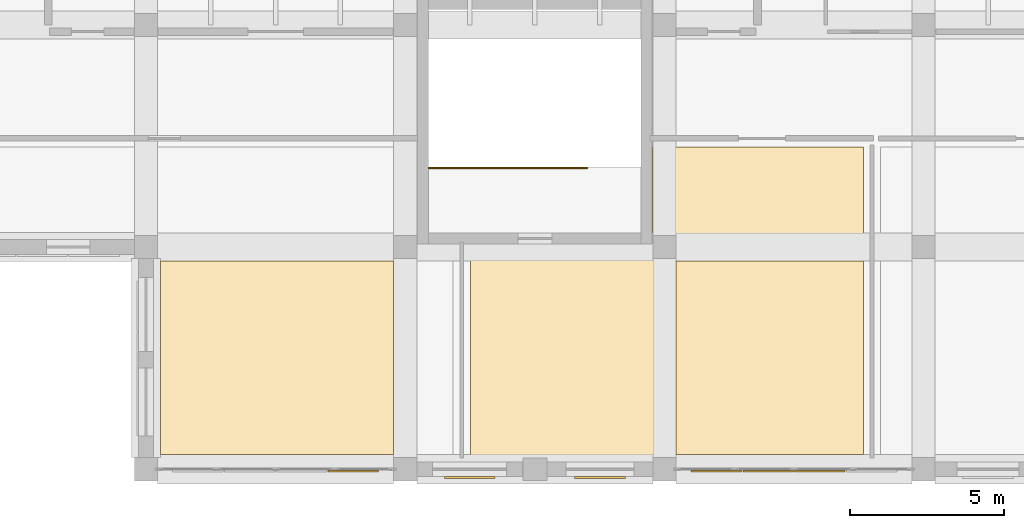
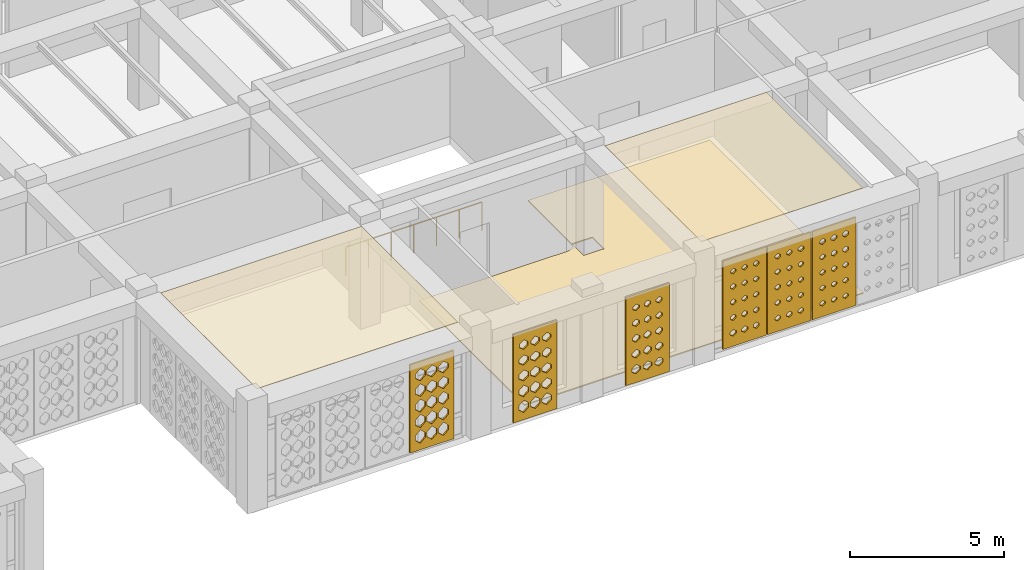
# One storey, part 87 of 111: 9 coverings, 1 railing.
"""IFC4 building model written with IfcOpenShell, lengths in metres."""

from ifc_helpers import new_model, si_unit, derived_unit, direction, frame, origin, origin_2d, place, context, subcontext, project, spatial, polyline, circle, outline, extrude, material, layer, layer_set, type_object, element, save


model = new_model("IFC4")

# Units and contexts
model_context = context("Model", 3, precision=1e-05, world=origin(), true_north=direction((0.0, 1.0)))
body_context = subcontext(model_context, "Body", "Model", "MODEL_VIEW")
ifc_project = project(units=[si_unit("LENGTHUNIT", "METRE"), si_unit("AREAUNIT", "SQUARE_METRE"), si_unit("VOLUMEUNIT", "CUBIC_METRE"), si_unit("PLANEANGLEUNIT", "RADIAN"), si_unit("MASSUNIT", "GRAM", prefix="KILO"), derived_unit("THERMALTRANSMITTANCEUNIT", [(si_unit("POWERUNIT", "WATT"), 1), (si_unit("LENGTHUNIT", "METRE"), -2), (si_unit("THERMODYNAMICTEMPERATUREUNIT", "KELVIN"), -1)])], contexts=[model_context])

# Site, building, storey
site_placement = place(None, origin())
site = spatial("IfcSite", under=ifc_project, at=site_placement, CompositionType="ELEMENT")
building_placement = place(site_placement, origin())
building = spatial("IfcBuilding", under=site, at=building_placement, Name="Veybourne Emporium", CompositionType="ELEMENT")
storey_placement = place(building_placement, frame((0.0, 0.0, 9.89990234375)))
storey = spatial("IfcBuildingStorey", under=building, at=storey_placement, Name="L02", CompositionType="ELEMENT", Elevation=9.89990234375)

# Coverings
ifc_material_1 = material(Name="Mineral Acoustic Ceiling", Category="gypsum")
ifc_layer_1 = layer(ifc_material_1, 0.02490234375)
ifc_layer_set_1 = layer_set([ifc_layer_1], Name="Mineral Acoustic Ceiling")
covering_type_1 = type_object("IfcCoveringType", Name="Ceiling_CLG-01", PredefinedType="CEILING", material=ifc_layer_set_1)
covering_1_placement = place(storey_placement, frame((0.0, 0.0, 4.155029296875)))
element("IfcCovering", 1, at=covering_1_placement, inside=storey, type_object=covering_type_1, Name="L02 coffered acoustic ceiling 04", PredefinedType="CEILING", context=body_context, shape_type="SweptSolid", body=[
    extrude(outline(polyline([(100.425048828125, 0.43994140625), (100.425048828125, 0.472900390625), (92.873046875, 0.472900390625), (92.873046875, 6.751953125), (100.425048828125, 6.751953125), (100.425048828125, 6.820068359375), (100.427001953125, 6.820068359375), (100.427001953125, 0.43994140625), (100.425048828125, 0.43994140625)])), origin(), (0.0, 0.0, 1.0), 0.025146484375),
])
covering_2_placement = place(storey_placement, frame((0.0, 0.0, 4.155029296875)))
element("IfcCovering", 2, at=covering_2_placement, inside=storey, type_object=covering_type_1, Name="L02 coffered acoustic ceiling 05", PredefinedType="CEILING", context=body_context, shape_type="SweptSolid", body=[
    extrude(outline(polyline([(115.64990234375, 0.472900390625), (109.574951171875, 0.472900390625), (109.574951171875, 0.43994140625), (109.572998046875, 0.43994140625), (109.572998046875, 6.820068359375), (109.574951171875, 6.820068359375), (109.574951171875, 6.751953125), (115.64990234375, 6.751953125), (115.64990234375, 0.472900390625)])), origin(), (0.0, 0.0, 1.0), 0.025146484375),
])
ifc_material_2 = material(Name="Venetian Terrazzo Flooring", Category="masonry")
ifc_layer_2 = layer(ifc_material_2, 0.044921875)
ifc_layer_set_2 = layer_set([ifc_layer_2], Name="Venetian Terrazzo Flooring")
covering_type_2 = type_object("IfcCoveringType", Name="Flooring_FLR-01", PredefinedType="FLOORING", material=ifc_layer_set_2)
covering_3_placement = place(storey_placement, origin())
element("IfcCovering", 3, at=covering_3_placement, inside=storey, type_object=covering_type_2, Name="L02 floor finish 05", PredefinedType="FLOORING", context=body_context, shape_type="SweptSolid", body=[
    extrude(outline(polyline([(102.909912109375, 7.2900390625), (108.449951171875, 7.2900390625), (108.459716796875, 7.290283203125), (108.4755859375, 7.291015625), (108.494873046875, 7.29296875), (108.510498046875, 7.295166015625), (108.52978515625, 7.299072265625), (108.545166015625, 7.302978515625), (108.56396484375, 7.30859375), (108.57861328125, 7.31396484375), (108.5966796875, 7.3212890625), (108.61083984375, 7.328125), (108.628173828125, 7.33740234375), (108.6416015625, 7.345458984375), (108.658203125, 7.3564453125), (108.670654296875, 7.36572265625), (108.685791015625, 7.378173828125), (108.697265625, 7.388671875), (108.71142578125, 7.402587890625), (108.721923828125, 7.414306640625), (108.734375, 7.42919921875), (108.74365234375, 7.44189453125), (108.754638671875, 7.458251953125), (108.7626953125, 7.4716796875), (108.77197265625, 7.489013671875), (108.778564453125, 7.503173828125), (108.7861328125, 7.521484375), (108.79150390625, 7.5361328125), (108.797119140625, 7.554931640625), (108.801025390625, 7.570068359375), (108.8046875, 7.589599609375), (108.80712890625, 7.60498046875), (108.80908203125, 7.62451171875), (108.809814453125, 7.64013671875), (108.81005859375, 7.64990234375), (108.81005859375, 10.43994140625), (115.64990234375, 10.43994140625), (115.64990234375, 0.43994140625), (102.909912109375, 0.43994140625), (102.909912109375, 7.2900390625)]), holes=[polyline([(109.580078125, 7.580078125), (108.820068359375, 7.580078125), (108.820068359375, 6.820068359375), (109.580078125, 6.820068359375), (109.580078125, 7.580078125)])]), origin(), (0.0, 0.0, 1.0), 0.045166015625),
])

# Railing
ifc_material_3 = material(Name="Brushed Stainless Steel", Category="steel")
railing_type = type_object("IfcRailingType", Name="Guard_GR-01", PredefinedType="GUARDRAIL", material=ifc_material_3)
railing_placement = place(storey_placement, frame((101.570068359375, 9.760009765625, 0.0)))
element("IfcRailing", 4, at=railing_placement, inside=storey, type_object=railing_type, Name="L02 ST-11 top well guardrail", PredefinedType="GUARDRAIL", context=body_context, shape_type="SweptSolid", body=[
    extrude(circle(Radius=0.02392578125, at=origin_2d()), frame((0.0, 0.0, 1.1259765625), z_axis=(1.0, 0.0, 0.0), x_axis=(0.0, 1.0, 0.0)), (0.0, 0.0, 1.0), 5.119873046875),
    extrude(circle(Radius=0.02099609375, at=origin_2d()), origin(), (0.0, 0.0, 1.0), 1.101806640625),
    extrude(circle(Radius=0.02099609375, at=origin_2d()), frame((0.853271484375, 0.0, 0.0)), (0.0, 0.0, 1.0), 1.101806640625),
    extrude(circle(Radius=0.02099609375, at=origin_2d()), frame((1.70654296875, 0.0, 0.0)), (0.0, 0.0, 1.0), 1.101806640625),
    extrude(circle(Radius=0.02099609375, at=origin_2d()), frame((2.56005859375, 0.0, 0.0)), (0.0, 0.0, 1.0), 1.101806640625),
    extrude(circle(Radius=0.02099609375, at=origin_2d()), frame((3.413330078125, 0.0, 0.0)), (0.0, 0.0, 1.0), 1.101806640625),
    extrude(circle(Radius=0.02099609375, at=origin_2d()), frame((4.2666015625, 0.0, 0.0)), (0.0, 0.0, 1.0), 1.101806640625),
    extrude(circle(Radius=0.02099609375, at=origin_2d()), frame((5.119873046875, 0.0, 0.0)), (0.0, 0.0, 1.0), 1.101806640625),
])

# Coverings
ifc_material_4 = material(Name="Warm-White Perforated Aluminium Screen Alloy", Category="aluminium")
ifc_layer_3 = layer(ifc_material_4, 0.06005859375)
ifc_layer_set_3 = layer_set([ifc_layer_3], Name="Warm-White Perforated Aluminium Screen Alloy")
covering_type_3 = type_object("IfcCoveringType", Name="WaveScreen_SCR-01", PredefinedType="CLADDING", material=ifc_layer_set_3)
covering_4_placement = place(storey_placement, frame((107.112548828125, -0.298095703125, 1.815185546875), z_axis=(0.0, 1.0, 0.0), x_axis=(-1.0, 0.0, 0.0)))
element("IfcCovering", 5, at=covering_4_placement, inside=storey, type_object=covering_type_3, Name="L02 wave-perforated aluminium screen SCR-01 (61A.1)", PredefinedType="CLADDING", context=body_context, shape_type="SweptSolid", body=[
    extrude(outline(polyline([(-0.81982421875, -1.7548828125), (0.81982421875, -1.7548828125), (0.81982421875, 1.7548828125), (-0.81982421875, 1.7548828125), (-0.81982421875, -1.7548828125)]), holes=[polyline([(-0.433349609375, -1.056396484375), (-0.282958984375, -1.166259765625), (-0.282958984375, -1.289794921875), (-0.433349609375, -1.399658203125), (-0.583740234375, -1.289794921875), (-0.583740234375, -1.166259765625), (-0.433349609375, -1.056396484375)]), polyline([(-0.433349609375, -0.455810546875), (-0.293701171875, -0.556884765625), (-0.293701171875, -0.6708984375), (-0.433349609375, -0.772216796875), (-0.572998046875, -0.6708984375), (-0.572998046875, -0.556884765625), (-0.433349609375, -0.455810546875)]), polyline([(-0.433349609375, 0.14599609375), (-0.303955078125, 0.052490234375), (-0.303955078125, -0.052490234375), (-0.433349609375, -0.14599609375), (-0.562744140625, -0.052490234375), (-0.562744140625, 0.052490234375), (-0.433349609375, 0.14599609375)]), polyline([(-0.433349609375, 0.7490234375), (-0.31298828125, 0.66259765625), (-0.31298828125, 0.5654296875), (-0.433349609375, 0.47900390625), (-0.5537109375, 0.5654296875), (-0.5537109375, 0.66259765625), (-0.433349609375, 0.7490234375)]), polyline([(-0.433349609375, 1.353759765625), (-0.320556640625, 1.273193359375), (-0.320556640625, 1.1826171875), (-0.433349609375, 1.102294921875), (-0.546142578125, 1.1826171875), (-0.546142578125, 1.273193359375), (-0.433349609375, 1.353759765625)]), polyline([(0.0, -1.050048828125), (0.155517578125, -1.163818359375), (0.155517578125, -1.2919921875), (0.0, -1.406005859375), (-0.155517578125, -1.2919921875), (-0.155517578125, -1.163818359375), (0.0, -1.050048828125)]), polyline([(0.0, -0.44970703125), (0.144287109375, -0.554931640625), (0.144287109375, -0.673095703125), (0.0, -0.7783203125), (-0.144287109375, -0.673095703125), (-0.144287109375, -0.554931640625), (0.0, -0.44970703125)]), polyline([(0.0, 0.1513671875), (0.1337890625, 0.054443359375), (0.1337890625, -0.054443359375), (0.0, -0.1513671875), (-0.1337890625, -0.054443359375), (-0.1337890625, 0.054443359375), (0.0, 0.1513671875)]), polyline([(0.0, 0.75390625), (0.12451171875, 0.664306640625), (0.12451171875, 0.563720703125), (0.0, 0.47412109375), (-0.12451171875, 0.563720703125), (-0.12451171875, 0.664306640625), (0.0, 0.75390625)]), polyline([(0.0, 1.357666015625), (0.1162109375, 1.274658203125), (0.1162109375, 1.181396484375), (0.0, 1.098388671875), (-0.1162109375, 1.181396484375), (-0.1162109375, 1.274658203125), (0.0, 1.357666015625)]), polyline([(0.433349609375, -1.043701171875), (0.593994140625, -1.16162109375), (0.593994140625, -1.29443359375), (0.433349609375, -1.412353515625), (0.2724609375, -1.29443359375), (0.2724609375, -1.16162109375), (0.433349609375, -1.043701171875)]), polyline([(0.433349609375, -0.443603515625), (0.582763671875, -0.552734375), (0.582763671875, -0.67529296875), (0.433349609375, -0.784423828125), (0.283935546875, -0.67529296875), (0.283935546875, -0.552734375), (0.433349609375, -0.443603515625)]), polyline([(0.433349609375, 0.156982421875), (0.572021484375, 0.056640625), (0.572021484375, -0.056640625), (0.433349609375, -0.156982421875), (0.294921875, -0.056640625), (0.294921875, 0.056640625), (0.433349609375, 0.156982421875)]), polyline([(0.433349609375, 0.7587890625), (0.56201171875, 0.666259765625), (0.56201171875, 0.561767578125), (0.433349609375, 0.468994140625), (0.3046875, 0.561767578125), (0.3046875, 0.666259765625), (0.433349609375, 0.7587890625)]), polyline([(0.433349609375, 1.362060546875), (0.552978515625, 1.2763671875), (0.552978515625, 1.1796875), (0.433349609375, 1.093994140625), (0.313720703125, 1.1796875), (0.313720703125, 1.2763671875), (0.433349609375, 1.362060546875)])]), origin(), (0.0, 0.0, 1.0), 0.06005859375),
])
covering_5_placement = place(storey_placement, frame((102.887451171875, -0.298095703125, 1.815185546875), z_axis=(0.0, 1.0, 0.0), x_axis=(-1.0, 0.0, 0.0)))
element("IfcCovering", 6, at=covering_5_placement, inside=storey, type_object=covering_type_3, Name="L02 wave-perforated aluminium screen SCR-01 (61B.1)", PredefinedType="CLADDING", context=body_context, shape_type="SweptSolid", body=[
    extrude(outline(polyline([(-0.81982421875, -1.7548828125), (0.81982421875, -1.7548828125), (0.81982421875, 1.7548828125), (-0.81982421875, 1.7548828125), (-0.81982421875, -1.7548828125)]), holes=[polyline([(-0.433349609375, -0.99560546875), (-0.2470703125, -1.144287109375), (-0.2470703125, -1.311767578125), (-0.433349609375, -1.46044921875), (-0.61962890625, -1.311767578125), (-0.61962890625, -1.144287109375), (-0.433349609375, -0.99560546875)]), polyline([(-0.433349609375, -0.39453125), (-0.2470703125, -0.534912109375), (-0.2470703125, -0.693115234375), (-0.433349609375, -0.83349609375), (-0.61962890625, -0.693115234375), (-0.61962890625, -0.534912109375), (-0.433349609375, -0.39453125)]), polyline([(-0.433349609375, 0.205810546875), (-0.2548828125, 0.07421875), (-0.2548828125, -0.07421875), (-0.433349609375, -0.205810546875), (-0.61181640625, -0.07421875), (-0.61181640625, 0.07421875), (-0.433349609375, 0.205810546875)]), polyline([(-0.433349609375, 0.8056640625), (-0.2666015625, 0.68310546875), (-0.2666015625, 0.544921875), (-0.433349609375, 0.42236328125), (-0.60009765625, 0.544921875), (-0.60009765625, 0.68310546875), (-0.433349609375, 0.8056640625)]), polyline([(-0.433349609375, 1.405517578125), (-0.278076171875, 1.2919921875), (-0.278076171875, 1.1640625), (-0.433349609375, 1.050537109375), (-0.588623046875, 1.1640625), (-0.588623046875, 1.2919921875), (-0.433349609375, 1.405517578125)]), polyline([(0.0, -0.989990234375), (0.186279296875, -1.142333984375), (0.186279296875, -1.313720703125), (0.0, -1.4658203125), (-0.186279296875, -1.313720703125), (-0.186279296875, -1.142333984375), (0.0, -0.989990234375)]), polyline([(0.0, -0.388427734375), (0.186279296875, -0.53271484375), (0.186279296875, -0.6953125), (0.0, -0.839599609375), (-0.186279296875, -0.6953125), (-0.186279296875, -0.53271484375), (0.0, -0.388427734375)]), polyline([(0.0, 0.212158203125), (0.18359375, 0.076416015625), (0.18359375, -0.076416015625), (0.0, -0.212158203125), (-0.18359375, -0.076416015625), (-0.18359375, 0.076416015625), (0.0, 0.212158203125)]), polyline([(0.0, 0.81201171875), (0.172119140625, 0.685302734375), (0.172119140625, 0.542724609375), (0.0, 0.416015625), (-0.172119140625, 0.542724609375), (-0.172119140625, 0.685302734375), (0.0, 0.81201171875)]), polyline([(0.0, 1.411865234375), (0.160400390625, 1.294189453125), (0.160400390625, 1.161865234375), (0.0, 1.044189453125), (-0.160400390625, 1.161865234375), (-0.160400390625, 1.294189453125), (0.0, 1.411865234375)]), polyline([(0.433349609375, -0.98486328125), (0.61962890625, -1.140380859375), (0.61962890625, -1.3154296875), (0.433349609375, -1.47119140625), (0.2470703125, -1.3154296875), (0.2470703125, -1.140380859375), (0.433349609375, -0.98486328125)]), polyline([(0.433349609375, -0.3828125), (0.61962890625, -0.53076171875), (0.61962890625, -0.697265625), (0.433349609375, -0.84521484375), (0.2470703125, -0.697265625), (0.2470703125, -0.53076171875), (0.433349609375, -0.3828125)]), polyline([(0.433349609375, 0.21826171875), (0.61962890625, 0.07861328125), (0.61962890625, -0.07861328125), (0.433349609375, -0.21826171875), (0.2470703125, -0.07861328125), (0.2470703125, 0.07861328125), (0.433349609375, 0.21826171875)]), polyline([(0.433349609375, 0.818603515625), (0.610595703125, 0.6875), (0.610595703125, 0.540283203125), (0.433349609375, 0.409423828125), (0.256103515625, 0.540283203125), (0.256103515625, 0.6875), (0.433349609375, 0.818603515625)]), polyline([(0.433349609375, 1.418212890625), (0.59912109375, 1.29638671875), (0.59912109375, 1.159423828125), (0.433349609375, 1.03759765625), (0.267578125, 1.159423828125), (0.267578125, 1.29638671875), (0.433349609375, 1.418212890625)])]), origin(), (0.0, 0.0, 1.0), 0.06005859375),
])
covering_6_placement = place(storey_placement, frame((112.56005859375, -0.093994140625, 1.815185546875), z_axis=(0.0, 1.0, 0.0), x_axis=(-1.0, 0.0, 0.0)))
element("IfcCovering", 7, at=covering_6_placement, inside=storey, type_object=covering_type_3, Name="L02 wave-perforated aluminium screen SCR-01 (63C.3)", PredefinedType="CLADDING", context=body_context, shape_type="SweptSolid", body=[
    extrude(outline(polyline([(-0.81982421875, -1.7548828125), (0.81982421875, -1.7548828125), (0.81982421875, 1.7548828125), (-0.81982421875, 1.7548828125), (-0.81982421875, -1.7548828125)]), holes=[polyline([(-0.433349609375, -1.114501953125), (-0.330322265625, -1.18701171875), (-0.330322265625, -1.268798828125), (-0.433349609375, -1.341552734375), (-0.536376953125, -1.268798828125), (-0.536376953125, -1.18701171875), (-0.433349609375, -1.114501953125)]), polyline([(-0.433349609375, -0.50341796875), (-0.332763671875, -0.57421875), (-0.332763671875, -0.65380859375), (-0.433349609375, -0.724609375), (-0.533935546875, -0.65380859375), (-0.533935546875, -0.57421875), (-0.433349609375, -0.50341796875)]), polyline([(-0.433349609375, 0.110107421875), (-0.333251953125, 0.03955078125), (-0.333251953125, -0.03955078125), (-0.433349609375, -0.110107421875), (-0.533447265625, -0.03955078125), (-0.533447265625, 0.03955078125), (-0.433349609375, 0.110107421875)]), polyline([(-0.433349609375, 0.725830078125), (-0.331787109375, 0.654296875), (-0.331787109375, 0.57373046875), (-0.433349609375, 0.502197265625), (-0.534912109375, 0.57373046875), (-0.534912109375, 0.654296875), (-0.433349609375, 0.725830078125)]), polyline([(-0.433349609375, 1.34423828125), (-0.328369140625, 1.269775390625), (-0.328369140625, 1.186279296875), (-0.433349609375, 1.11181640625), (-0.538330078125, 1.186279296875), (-0.538330078125, 1.269775390625), (-0.433349609375, 1.34423828125)]), polyline([(0.0, -1.1123046875), (0.104736328125, -1.186279296875), (0.104736328125, -1.269775390625), (0.0, -1.34375), (-0.104736328125, -1.269775390625), (-0.104736328125, -1.186279296875), (0.0, -1.1123046875)]), polyline([(0.0, -0.502197265625), (0.101318359375, -0.57373046875), (0.101318359375, -0.654296875), (0.0, -0.7255859375), (-0.101318359375, -0.654296875), (-0.101318359375, -0.57373046875), (0.0, -0.502197265625)]), polyline([(0.0, 0.110107421875), (0.10009765625, 0.03955078125), (0.10009765625, -0.03955078125), (0.0, -0.110107421875), (-0.10009765625, -0.03955078125), (-0.10009765625, 0.03955078125), (0.0, 0.110107421875)]), polyline([(0.0, 0.724853515625), (0.1005859375, 0.65380859375), (0.1005859375, 0.57421875), (0.0, 0.503173828125), (-0.1005859375, 0.57421875), (-0.1005859375, 0.65380859375), (0.0, 0.724853515625)]), polyline([(0.0, 1.342041015625), (0.103271484375, 1.26904296875), (0.103271484375, 1.18701171875), (0.0, 1.114013671875), (-0.103271484375, 1.18701171875), (-0.103271484375, 1.26904296875), (0.0, 1.342041015625)]), polyline([(0.433349609375, -1.109619140625), (0.540283203125, -1.185302734375), (0.540283203125, -1.2705078125), (0.433349609375, -1.346435546875), (0.326416015625, -1.2705078125), (0.326416015625, -1.185302734375), (0.433349609375, -1.109619140625)]), polyline([(0.433349609375, -0.500732421875), (0.535888671875, -0.5732421875), (0.535888671875, -0.65478515625), (0.433349609375, -0.727294921875), (0.330810546875, -0.65478515625), (0.330810546875, -0.5732421875), (0.433349609375, -0.500732421875)]), polyline([(0.433349609375, 0.110595703125), (0.53369140625, 0.039794921875), (0.53369140625, -0.039794921875), (0.433349609375, -0.110595703125), (0.3330078125, -0.039794921875), (0.3330078125, 0.039794921875), (0.433349609375, 0.110595703125)]), polyline([(0.433349609375, 0.72412109375), (0.533447265625, 0.65380859375), (0.533447265625, 0.57421875), (0.433349609375, 0.50390625), (0.333251953125, 0.57421875), (0.333251953125, 0.65380859375), (0.433349609375, 0.72412109375)]), polyline([(0.433349609375, 1.340087890625), (0.53515625, 1.268310546875), (0.53515625, 1.1875), (0.433349609375, 1.11572265625), (0.33154296875, 1.1875), (0.33154296875, 1.268310546875), (0.433349609375, 1.340087890625)])]), origin(), (0.0, 0.0, 1.0), 0.06005859375),
])
ifc_layer_4 = layer(ifc_material_4, 0.06005859375)
ifc_layer_set_4 = layer_set([ifc_layer_4], Name="Warm-White Perforated Aluminium Screen Alloy")
covering_type_4 = type_object("IfcCoveringType", Name="WaveScreen_SCR-02", PredefinedType="CLADDING", material=ifc_layer_set_4)
covering_7_placement = place(storey_placement, frame((99.1201171875, -0.096923828125, 1.815185546875), z_axis=(0.0, 1.0, 0.0), x_axis=(-1.0, 0.0, 0.0)))
element("IfcCovering", 8, at=covering_7_placement, inside=storey, type_object=covering_type_4, Name="L02 wave-perforated aluminium screen SCR-02 (46C.1)", PredefinedType="CLADDING", context=body_context, shape_type="SweptSolid", body=[
    extrude(outline(polyline([(-0.81982421875, -1.7548828125), (0.81982421875, -1.7548828125), (0.81982421875, 1.7548828125), (-0.81982421875, 1.7548828125), (-0.81982421875, -1.7548828125)]), holes=[polyline([(-0.433349609375, -0.964111328125), (-0.2470703125, -1.133056640625), (-0.2470703125, -1.322998046875), (-0.433349609375, -1.491943359375), (-0.61962890625, -1.322998046875), (-0.61962890625, -1.133056640625), (-0.433349609375, -0.964111328125)]), polyline([(-0.433349609375, -0.353271484375), (-0.2470703125, -0.52001953125), (-0.2470703125, -0.7080078125), (-0.433349609375, -0.874755859375), (-0.61962890625, -0.7080078125), (-0.61962890625, -0.52001953125), (-0.433349609375, -0.353271484375)]), polyline([(-0.433349609375, 0.251953125), (-0.2470703125, 0.0908203125), (-0.2470703125, -0.0908203125), (-0.433349609375, -0.251953125), (-0.61962890625, -0.0908203125), (-0.61962890625, 0.0908203125), (-0.433349609375, 0.251953125)]), polyline([(-0.433349609375, 0.855224609375), (-0.2470703125, 0.70068359375), (-0.2470703125, 0.527099609375), (-0.433349609375, 0.372802734375), (-0.61962890625, 0.527099609375), (-0.61962890625, 0.70068359375), (-0.433349609375, 0.855224609375)]), polyline([(-0.433349609375, 1.45703125), (-0.2470703125, 1.310546875), (-0.2470703125, 1.1455078125), (-0.433349609375, 0.998779296875), (-0.61962890625, 1.1455078125), (-0.61962890625, 1.310546875), (-0.433349609375, 1.45703125)]), polyline([(0.0, -0.964111328125), (0.186279296875, -1.133056640625), (0.186279296875, -1.322998046875), (0.0, -1.491943359375), (-0.186279296875, -1.322998046875), (-0.186279296875, -1.133056640625), (0.0, -0.964111328125)]), polyline([(0.0, -0.35009765625), (0.186279296875, -0.51904296875), (0.186279296875, -0.708984375), (0.0, -0.8779296875), (-0.186279296875, -0.708984375), (-0.186279296875, -0.51904296875), (0.0, -0.35009765625)]), polyline([(0.0, 0.256103515625), (0.186279296875, 0.09228515625), (0.186279296875, -0.09228515625), (0.0, -0.256103515625), (-0.186279296875, -0.09228515625), (-0.186279296875, 0.09228515625), (0.0, 0.256103515625)]), polyline([(0.0, 0.860107421875), (0.186279296875, 0.70263671875), (0.186279296875, 0.525390625), (0.0, 0.367919921875), (-0.186279296875, 0.525390625), (-0.186279296875, 0.70263671875), (0.0, 0.860107421875)]), polyline([(0.0, 1.462646484375), (0.186279296875, 1.3125), (0.186279296875, 1.1435546875), (0.0, 0.993408203125), (-0.186279296875, 1.1435546875), (-0.186279296875, 1.3125), (0.0, 1.462646484375)]), polyline([(0.433349609375, -0.964111328125), (0.61962890625, -1.133056640625), (0.61962890625, -1.322998046875), (0.433349609375, -1.491943359375), (0.2470703125, -1.322998046875), (0.2470703125, -1.133056640625), (0.433349609375, -0.964111328125)]), polyline([(0.433349609375, -0.35009765625), (0.61962890625, -0.51904296875), (0.61962890625, -0.708984375), (0.433349609375, -0.8779296875), (0.2470703125, -0.708984375), (0.2470703125, -0.51904296875), (0.433349609375, -0.35009765625)]), polyline([(0.433349609375, 0.260009765625), (0.61962890625, 0.093505859375), (0.61962890625, -0.093505859375), (0.433349609375, -0.260009765625), (0.2470703125, -0.093505859375), (0.2470703125, 0.093505859375), (0.433349609375, 0.260009765625)]), polyline([(0.433349609375, 0.864990234375), (0.61962890625, 0.704345703125), (0.61962890625, 0.523681640625), (0.433349609375, 0.363037109375), (0.2470703125, 0.523681640625), (0.2470703125, 0.704345703125), (0.433349609375, 0.864990234375)]), polyline([(0.433349609375, 1.468017578125), (0.61962890625, 1.314453125), (0.61962890625, 1.1416015625), (0.433349609375, 0.98779296875), (0.2470703125, 1.1416015625), (0.2470703125, 1.314453125), (0.433349609375, 1.468017578125)])]), origin(), (0.0, 0.0, 1.0), 0.06005859375),
])
covering_8_placement = place(storey_placement, frame((110.8798828125, -0.093994140625, 1.815185546875), z_axis=(0.0, 1.0, 0.0), x_axis=(-1.0, 0.0, 0.0)))
element("IfcCovering", 9, at=covering_8_placement, inside=storey, type_object=covering_type_4, Name="L02 wave-perforated aluminium screen SCR-02 (63C.4)", PredefinedType="CLADDING", context=body_context, shape_type="SweptSolid", body=[
    extrude(outline(polyline([(-0.81982421875, -1.7548828125), (0.81982421875, -1.7548828125), (0.81982421875, 1.7548828125), (-0.81982421875, 1.7548828125), (-0.81982421875, -1.7548828125)]), holes=[polyline([(-0.433349609375, -1.103515625), (-0.321533203125, -1.18310546875), (-0.321533203125, -1.272705078125), (-0.433349609375, -1.352294921875), (-0.545166015625, -1.272705078125), (-0.545166015625, -1.18310546875), (-0.433349609375, -1.103515625)]), polyline([(-0.433349609375, -0.49658203125), (-0.3271484375, -0.57177734375), (-0.3271484375, -0.65625), (-0.433349609375, -0.7314453125), (-0.539306640625, -0.65625), (-0.539306640625, -0.57177734375), (-0.433349609375, -0.49658203125)]), polyline([(-0.433349609375, 0.11279296875), (-0.3310546875, 0.04052734375), (-0.3310546875, -0.04052734375), (-0.433349609375, -0.11279296875), (-0.535400390625, -0.04052734375), (-0.535400390625, 0.04052734375), (-0.433349609375, 0.11279296875)]), polyline([(-0.433349609375, 0.724365234375), (-0.3330078125, 0.65380859375), (-0.3330078125, 0.57421875), (-0.433349609375, 0.503662109375), (-0.53369140625, 0.57421875), (-0.53369140625, 0.65380859375), (-0.433349609375, 0.724365234375)]), polyline([(-0.433349609375, 1.33837890625), (-0.3330078125, 1.267578125), (-0.3330078125, 1.188232421875), (-0.433349609375, 1.11767578125), (-0.53369140625, 1.188232421875), (-0.53369140625, 1.267578125), (-0.433349609375, 1.33837890625)]), polyline([(0.0, -1.099609375), (0.114990234375, -1.181884765625), (0.114990234375, -1.274169921875), (0.0, -1.356201171875), (-0.114990234375, -1.274169921875), (-0.114990234375, -1.181884765625), (0.0, -1.099609375)]), polyline([(0.0, -0.49365234375), (0.1083984375, -0.57080078125), (0.1083984375, -0.6572265625), (0.0, -0.734375), (-0.1083984375, -0.6572265625), (-0.1083984375, -0.57080078125), (0.0, -0.49365234375)]), polyline([(0.0, 0.114501953125), (0.103759765625, 0.041259765625), (0.103759765625, -0.041259765625), (0.0, -0.114501953125), (-0.103759765625, -0.041259765625), (-0.103759765625, 0.041259765625), (0.0, 0.114501953125)]), polyline([(0.0, 0.72509765625), (0.100830078125, 0.654052734375), (0.100830078125, 0.573974609375), (0.0, 0.5029296875), (-0.100830078125, 0.573974609375), (-0.100830078125, 0.654052734375), (0.0, 0.72509765625)]), polyline([(0.0, 1.337890625), (0.10009765625, 1.267578125), (0.10009765625, 1.1884765625), (0.0, 1.117919921875), (-0.10009765625, 1.1884765625), (-0.10009765625, 1.267578125), (0.0, 1.337890625)]), polyline([(0.433349609375, -1.095458984375), (0.5517578125, -1.180419921875), (0.5517578125, -1.275634765625), (0.433349609375, -1.360595703125), (0.31494140625, -1.275634765625), (0.31494140625, -1.180419921875), (0.433349609375, -1.095458984375)]), polyline([(0.433349609375, -0.490234375), (0.54443359375, -0.569580078125), (0.54443359375, -0.658447265625), (0.433349609375, -0.73779296875), (0.322021484375, -0.658447265625), (0.322021484375, -0.569580078125), (0.433349609375, -0.490234375)]), polyline([(0.433349609375, 0.116943359375), (0.5390625, 0.0419921875), (0.5390625, -0.0419921875), (0.433349609375, -0.116943359375), (0.32763671875, -0.0419921875), (0.32763671875, 0.0419921875), (0.433349609375, 0.116943359375)]), polyline([(0.433349609375, 0.726318359375), (0.535400390625, 0.654541015625), (0.535400390625, 0.573486328125), (0.433349609375, 0.501708984375), (0.331298828125, 0.573486328125), (0.331298828125, 0.654541015625), (0.433349609375, 0.726318359375)]), polyline([(0.433349609375, 1.338134765625), (0.533447265625, 1.267578125), (0.533447265625, 1.188232421875), (0.433349609375, 1.117919921875), (0.333251953125, 1.188232421875), (0.333251953125, 1.267578125), (0.433349609375, 1.338134765625)])]), origin(), (0.0, 0.0, 1.0), 0.06005859375),
])
ifc_layer_5 = layer(ifc_material_4, 0.06005859375)
ifc_layer_set_5 = layer_set([ifc_layer_5], Name="Warm-White Perforated Aluminium Screen Alloy")
covering_type_5 = type_object("IfcCoveringType", Name="WaveScreen_SCR-04", PredefinedType="CLADDING", material=ifc_layer_set_5)
covering_9_placement = place(storey_placement, frame((114.239990234375, -0.093994140625, 1.815185546875), z_axis=(0.0, 1.0, 0.0), x_axis=(-1.0, 0.0, 0.0)))
element("IfcCovering", 10, at=covering_9_placement, inside=storey, type_object=covering_type_5, Name="L02 wave-perforated aluminium screen SCR-04 (63C.2)", PredefinedType="CLADDING", context=body_context, shape_type="SweptSolid", body=[
    extrude(outline(polyline([(-0.81982421875, -1.7548828125), (0.81982421875, -1.7548828125), (0.81982421875, 1.7548828125), (-0.81982421875, 1.7548828125), (-0.81982421875, -1.7548828125)]), holes=[polyline([(-0.433349609375, -1.117919921875), (-0.333251953125, -1.1884765625), (-0.333251953125, -1.267578125), (-0.433349609375, -1.337890625), (-0.533203125, -1.267578125), (-0.533203125, -1.1884765625), (-0.433349609375, -1.117919921875)]), polyline([(-0.433349609375, -0.502685546875), (-0.332275390625, -0.573974609375), (-0.332275390625, -0.654052734375), (-0.433349609375, -0.725341796875), (-0.534423828125, -0.654052734375), (-0.534423828125, -0.573974609375), (-0.433349609375, -0.502685546875)]), polyline([(-0.433349609375, 0.114990234375), (-0.329345703125, 0.04150390625), (-0.329345703125, -0.04150390625), (-0.433349609375, -0.114990234375), (-0.537353515625, -0.04150390625), (-0.537353515625, 0.04150390625), (-0.433349609375, 0.114990234375)]), polyline([(-0.433349609375, 0.73486328125), (-0.324462890625, 0.657470703125), (-0.324462890625, 0.570556640625), (-0.433349609375, 0.4931640625), (-0.542236328125, 0.570556640625), (-0.542236328125, 0.657470703125), (-0.433349609375, 0.73486328125)]), polyline([(-0.433349609375, 1.35693359375), (-0.31787109375, 1.2744140625), (-0.31787109375, 1.181640625), (-0.433349609375, 1.09912109375), (-0.548828125, 1.181640625), (-0.548828125, 1.2744140625), (-0.433349609375, 1.35693359375)]), polyline([(0.0, -1.117919921875), (0.10009765625, -1.188232421875), (0.10009765625, -1.267578125), (0.0, -1.338134765625), (-0.10009765625, -1.267578125), (-0.10009765625, -1.188232421875), (0.0, -1.117919921875)]), polyline([(0.0, -0.503662109375), (0.100341796875, -0.57421875), (0.100341796875, -0.65380859375), (0.0, -0.724365234375), (-0.100341796875, -0.65380859375), (-0.100341796875, -0.57421875), (0.0, -0.503662109375)]), polyline([(0.0, 0.113037109375), (0.102294921875, 0.040771484375), (0.102294921875, -0.040771484375), (0.0, -0.113037109375), (-0.102294921875, -0.040771484375), (-0.102294921875, 0.040771484375), (0.0, 0.113037109375)]), polyline([(0.0, 0.73193359375), (0.1064453125, 0.656494140625), (0.1064453125, 0.571533203125), (0.0, 0.49609375), (-0.1064453125, 0.571533203125), (-0.1064453125, 0.656494140625), (0.0, 0.73193359375)]), polyline([(0.0, 1.35302734375), (0.1123046875, 1.27294921875), (0.1123046875, 1.18310546875), (0.0, 1.102783203125), (-0.1123046875, 1.18310546875), (-0.1123046875, 1.27294921875), (0.0, 1.35302734375)]), polyline([(0.433349609375, -1.116943359375), (0.5341796875, -1.18798828125), (0.5341796875, -1.267822265625), (0.433349609375, -1.339111328125), (0.33251953125, -1.267822265625), (0.33251953125, -1.18798828125), (0.433349609375, -1.116943359375)]), polyline([(0.433349609375, -0.50390625), (0.533203125, -0.574462890625), (0.533203125, -0.653564453125), (0.433349609375, -0.72412109375), (0.333251953125, -0.653564453125), (0.333251953125, -0.574462890625), (0.433349609375, -0.50390625)]), polyline([(0.433349609375, 0.111572265625), (0.53466796875, 0.0400390625), (0.53466796875, -0.0400390625), (0.433349609375, -0.111572265625), (0.33203125, -0.0400390625), (0.33203125, 0.0400390625), (0.433349609375, 0.111572265625)]), polyline([(0.433349609375, 0.7294921875), (0.537841796875, 0.655517578125), (0.537841796875, 0.572509765625), (0.433349609375, 0.49853515625), (0.328857421875, 0.572509765625), (0.328857421875, 0.655517578125), (0.433349609375, 0.7294921875)]), polyline([(0.433349609375, 1.349609375), (0.542724609375, 1.271728515625), (0.542724609375, 1.18408203125), (0.433349609375, 1.1064453125), (0.323974609375, 1.18408203125), (0.323974609375, 1.271728515625), (0.433349609375, 1.349609375)])]), origin(), (0.0, 0.0, 1.0), 0.06005859375),
])

save(model, "model.ifc")
